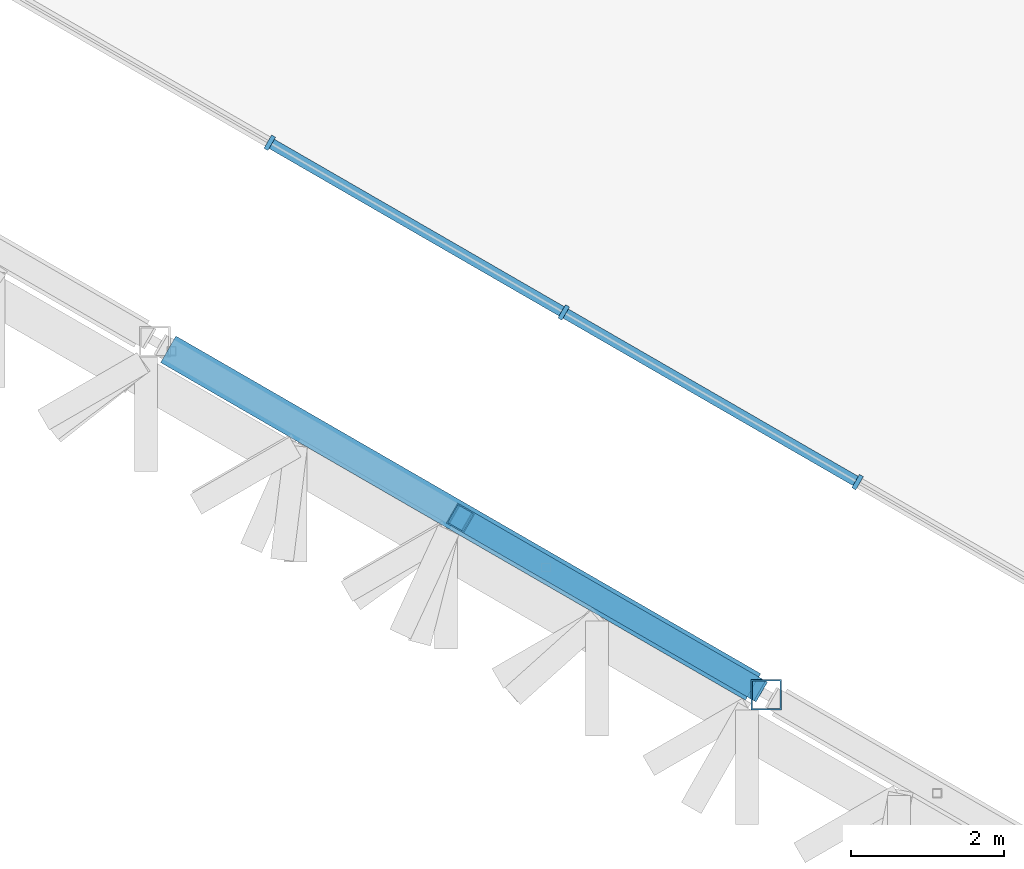
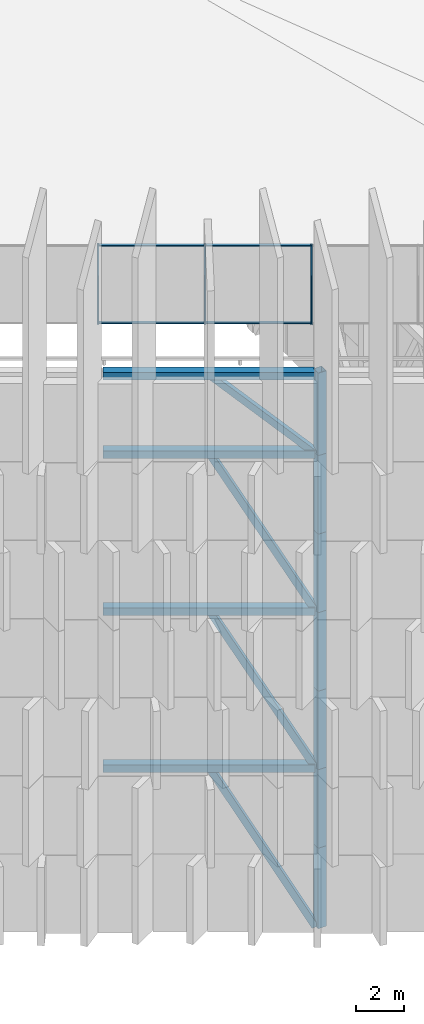
# One storey, part 2 of 45: 22 members, 1 element without a shape of its own.
"""IFC4 building model written with IfcOpenShell, lengths in metres."""

from ifc_helpers import new_model, si_unit, direction, frame, origin, origin_2d, place, context, subcontext, project, spatial, rectangle, hollow_rectangle, extrude, material, layer, layer_set, material_profile, profile_set, type_object, element, aggregate, save


model = new_model("IFC4")

# Units and contexts
model_context = context("Model", 3, precision=1e-05, world=origin(), true_north=direction((0.0, 1.0)))
body_context = subcontext(model_context, "Body", "Model", "MODEL_VIEW")
ifc_project = project(units=[si_unit("LENGTHUNIT", "METRE"), si_unit("AREAUNIT", "SQUARE_METRE"), si_unit("VOLUMEUNIT", "CUBIC_METRE"), si_unit("PLANEANGLEUNIT", "RADIAN"), si_unit("MASSUNIT", "GRAM", prefix="KILO")], contexts=[model_context])

# Site, building, storey
site_placement = place(None, origin())
site = spatial("IfcSite", under=ifc_project, at=site_placement, CompositionType="ELEMENT")
building_placement = place(site_placement, origin())
building = spatial("IfcBuilding", under=site, at=building_placement, Name="Jabali Bay Hotel Tower and Convention Centre", CompositionType="ELEMENT")
storey_placement = place(building_placement, frame((0.0, 0.0, 322.39990234375)))
storey = spatial("IfcBuildingStorey", under=building, at=storey_placement, Name="Crown", CompositionType="ELEMENT", Elevation=322.39990234375)

# Curtain wall, members
ifc_material_1 = material(Name="Aluminium and glass", Category="aluminium")
ifc_layer = layer(ifc_material_1, 0.199951171875)
ifc_layer_set = layer_set([ifc_layer], Name="Aluminium and glass")
curtain_wall_type = type_object("IfcCurtainWallType", Name="CW6 curtain wall", PredefinedType="NOTDEFINED", material=ifc_layer_set)
curtain_wall_placement = place(storey_placement, origin())
curtain_wall = element("IfcCurtainWall", 1, at=curtain_wall_placement, inside=storey, type_object=curtain_wall_type, Name="CW6 lantern glazing 5", PredefinedType="NOTDEFINED")
ifc_material_2 = material(Name="Aluminium", Category="aluminium")
ifc_material_profile_1 = material_profile(ifc_material_2, rectangle(XDim=0.199951171875, YDim=0.06005859375, at=origin_2d()), Name="CW6 mullion 60 x 200")
ifc_profile_set_1 = profile_set([ifc_material_profile_1], Name="Aluminium")
member_type_1 = type_object("IfcMemberType", Name="CW6 mullion 60 x 200", PredefinedType="MULLION", material=ifc_profile_set_1)
member_1_placement = place(storey_placement, frame((67.425537109375, 66.880859375, 28.35009765625), z_axis=(0.0, 0.0, 1.0), x_axis=(0.500000005124, 0.866025400826, 0.0)))
member_1 = element("IfcMember", 2, at=member_1_placement, type_object=member_type_1, Name="CW6 mullion 6", PredefinedType="MULLION", context=body_context, shape_type="SweptSolid", body=[
    extrude(rectangle(XDim=0.199951171875, YDim=0.06005859375, at=origin_2d()), origin(), (0.0, 0.0, 1.0), 4.0),
])
member_2_placement = place(storey_placement, frame((71.265625, 64.663818359375, 28.35009765625), z_axis=(0.0, 0.0, 1.0), x_axis=(0.500000005124, 0.866025400826, 0.0)))
member_2 = element("IfcMember", 3, at=member_2_placement, type_object=member_type_1, Name="CW6 mullion 7", PredefinedType="MULLION", context=body_context, shape_type="SweptSolid", body=[
    extrude(rectangle(XDim=0.199951171875, YDim=0.06005859375, at=origin_2d()), origin(), (0.0, 0.0, 1.0), 4.0),
])
member_3_placement = place(storey_placement, frame((75.10546875, 62.44677734375, 28.35009765625), z_axis=(0.0, 0.0, 1.0), x_axis=(0.500000005124, 0.866025400826, 0.0)))
member_3 = element("IfcMember", 4, at=member_3_placement, type_object=member_type_1, Name="CW6 mullion 8", PredefinedType="MULLION", context=body_context, shape_type="SweptSolid", body=[
    extrude(rectangle(XDim=0.199951171875, YDim=0.06005859375, at=origin_2d()), origin(), (0.0, 0.0, 1.0), 4.0),
])
ifc_material_profile_2 = material_profile(ifc_material_2, rectangle(XDim=0.139892578125, YDim=0.06005859375, at=origin_2d()), Name="CW6 transom 60 x 140")
ifc_profile_set_2 = profile_set([ifc_material_profile_2], Name="Aluminium")
member_type_2 = type_object("IfcMemberType", Name="CW6 transom 60 x 140", PredefinedType="USERDEFINED", material=ifc_profile_set_2)
member_4_placement = place(storey_placement, frame((67.45166015625, 66.86572265625, 28.380126953125), z_axis=(0.866015480101, -0.500017187931, 0.0), x_axis=(0.500017187931, 0.866015480101, 0.0)))
member_4 = element("IfcMember", 5, at=member_4_placement, type_object=member_type_2, Name="CW6 transom 6.1", ObjectType="TRANSOM", PredefinedType="USERDEFINED", context=body_context, shape_type="SweptSolid", body=[
    extrude(rectangle(XDim=0.139892578125, YDim=0.06005859375, at=origin_2d()), origin(), (0.0, 0.0, 1.0), 4.373779296875),
])
member_5_placement = place(storey_placement, frame((67.45166015625, 66.86572265625, 32.320068359375), z_axis=(0.866015480101, -0.500017187931, 0.0), x_axis=(0.500017187931, 0.866015480101, 0.0)))
member_5 = element("IfcMember", 6, at=member_5_placement, type_object=member_type_2, Name="CW6 transom 6.2", ObjectType="TRANSOM", PredefinedType="USERDEFINED", context=body_context, shape_type="SweptSolid", body=[
    extrude(rectangle(XDim=0.139892578125, YDim=0.06005859375, at=origin_2d()), origin(), (0.0, 0.0, 1.0), 4.373779296875),
])
member_6_placement = place(storey_placement, frame((71.29150390625, 64.648681640625, 28.380126953125), z_axis=(0.866053602686, -0.499951154889, 0.0), x_axis=(0.499951154889, 0.866053602686, 0.0)))
member_6 = element("IfcMember", 7, at=member_6_placement, type_object=member_type_2, Name="CW6 transom 7.1", ObjectType="TRANSOM", PredefinedType="USERDEFINED", context=body_context, shape_type="SweptSolid", body=[
    extrude(rectangle(XDim=0.139892578125, YDim=0.06005859375, at=origin_2d()), origin(), (0.0, 0.0, 1.0), 4.3740234375),
])
member_7_placement = place(storey_placement, frame((71.29150390625, 64.648681640625, 32.320068359375), z_axis=(0.866053602686, -0.499951154889, 0.0), x_axis=(0.499951154889, 0.866053602686, 0.0)))
member_7 = element("IfcMember", 8, at=member_7_placement, type_object=member_type_2, Name="CW6 transom 7.2", ObjectType="TRANSOM", PredefinedType="USERDEFINED", context=body_context, shape_type="SweptSolid", body=[
    extrude(rectangle(XDim=0.139892578125, YDim=0.06005859375, at=origin_2d()), origin(), (0.0, 0.0, 1.0), 4.3740234375),
])
aggregate(curtain_wall, [member_1, member_2, member_3, member_4, member_5, member_6, member_7])

# Members
ifc_material_3 = material(Name="Steel Q420GJC", Category="steel")
ifc_material_profile_3 = material_profile(ifc_material_3, hollow_rectangle(XDim=0.300048828125, YDim=0.300048828125, WallThickness=0.01611328125, at=origin_2d()), Name="Crown frame brace 300x300x16")
ifc_profile_set_3 = profile_set([ifc_material_profile_3], Name="Steel Q420GJC")
member_type_3 = type_object("IfcMemberType", Name="Crown frame brace 300x300x16", PredefinedType="USERDEFINED", material=ifc_profile_set_3)
member_8_placement = place(storey_placement, frame((73.739501953125, 59.771240234375, -0.099853515625), z_axis=(-0.415334554415, 0.239810052348, 0.877489798631), x_axis=(-0.50002585838, -0.866010473927, 0.0)))
element("IfcMember", 9, at=member_8_placement, inside=storey, type_object=member_type_3, Name="Crown brace 1 F2.3-F2.4r", ObjectType="CROWN FRAME", PredefinedType="USERDEFINED", context=body_context, shape_type="SweptSolid", body=[
    extrude(hollow_rectangle(XDim=0.300048828125, YDim=0.300048828125, WallThickness=0.01611328125, at=origin_2d()), origin(), (0.0, 0.0, 1.0), 9.1982421875),
])
for number, where, z_axis, x_axis, name in (
    (10, (73.739501953125, 59.771240234375, 7.971435546875), (-0.419323234848, 0.242113076869, 0.874956731916), (-0.50002585838, -0.866010473927, 0.0), "Crown brace 2 F2.3-F2.4r"),
    (11, (73.739501953125, 59.771240234375, 15.94287109375), (-0.419323234848, 0.242113076869, 0.874956731916), (-0.50002585838, -0.866010473927, 0.0), "Crown brace 3 F2.3-F2.4r"),
):
    element("IfcMember", number, at=place(storey_placement, frame(where, z_axis=z_axis, x_axis=x_axis)), inside=storey, type_object=member_type_3, Name=name, ObjectType="CROWN FRAME", PredefinedType="USERDEFINED", context=body_context, shape_type="SweptSolid", body=[
        extrude(hollow_rectangle(XDim=0.300048828125, YDim=0.300048828125, WallThickness=0.01611328125, at=origin_2d()), origin(), (0.0, 0.0, 1.0), 9.110595703125),
    ])
member_9_placement = place(storey_placement, frame((73.739501953125, 59.771240234375, 23.914306640625), z_axis=(-0.642570411062, 0.371013782205, 0.67041184375), x_axis=(-0.50002585838, -0.866010473927, 0.0)))
element("IfcMember", 12, at=member_9_placement, inside=storey, type_object=member_type_3, Name="Crown brace 4 F2.3-F2.4r", ObjectType="CROWN FRAME", PredefinedType="USERDEFINED", context=body_context, shape_type="SweptSolid", body=[
    extrude(hollow_rectangle(XDim=0.300048828125, YDim=0.300048828125, WallThickness=0.01611328125, at=origin_2d()), origin(), (0.0, 0.0, 1.0), 5.9453125),
])
ifc_material_profile_4 = material_profile(ifc_material_3, hollow_rectangle(XDim=0.39990234375, YDim=0.39990234375, WallThickness=0.02001953125, at=origin_2d()), Name="Crown frame member 400x400x20")
ifc_profile_set_4 = profile_set([ifc_material_profile_4], Name="Steel Q420GJC")
member_type_4 = type_object("IfcMemberType", Name="Crown frame member 400x400x20", PredefinedType="USERDEFINED", material=ifc_profile_set_4)
member_10_placement = place(storey_placement, frame((73.912841796875, 59.67138671875, -0.099853515625), z_axis=(0.0, 0.0, 1.0), x_axis=(1.0, 0.0, 0.0)))
element("IfcMember", 13, at=member_10_placement, inside=storey, type_object=member_type_4, Name="Crown post F2.4 1", ObjectType="CROWN FRAME", PredefinedType="USERDEFINED", context=body_context, shape_type="SweptSolid", body=[
    extrude(hollow_rectangle(XDim=0.39990234375, YDim=0.39990234375, WallThickness=0.02001953125, at=origin_2d()), origin(), (0.0, 0.0, 1.0), 4.085693359375),
])
member_11_placement = place(storey_placement, frame((73.912841796875, 59.67138671875, 3.98583984375), z_axis=(0.0, 0.0, 1.0), x_axis=(1.0, 0.0, 0.0)))
element("IfcMember", 14, at=member_11_placement, inside=storey, type_object=member_type_4, Name="Crown post F2.4 2", ObjectType="CROWN FRAME", PredefinedType="USERDEFINED", context=body_context, shape_type="SweptSolid", body=[
    extrude(hollow_rectangle(XDim=0.39990234375, YDim=0.39990234375, WallThickness=0.02001953125, at=origin_2d()), origin(), (0.0, 0.0, 1.0), 3.985595703125),
])
member_12_placement = place(storey_placement, frame((73.912841796875, 59.67138671875, 7.971435546875), z_axis=(0.0, 0.0, 1.0), x_axis=(1.0, 0.0, 0.0)))
element("IfcMember", 15, at=member_12_placement, inside=storey, type_object=member_type_4, Name="Crown post F2.4 3", ObjectType="CROWN FRAME", PredefinedType="USERDEFINED", context=body_context, shape_type="SweptSolid", body=[
    extrude(hollow_rectangle(XDim=0.39990234375, YDim=0.39990234375, WallThickness=0.02001953125, at=origin_2d()), origin(), (0.0, 0.0, 1.0), 3.98583984375),
])
member_13_placement = place(storey_placement, frame((73.912841796875, 59.67138671875, 11.957275390625), z_axis=(0.0, 0.0, 1.0), x_axis=(1.0, 0.0, 0.0)))
element("IfcMember", 16, at=member_13_placement, inside=storey, type_object=member_type_4, Name="Crown post F2.4 4", ObjectType="CROWN FRAME", PredefinedType="USERDEFINED", context=body_context, shape_type="SweptSolid", body=[
    extrude(hollow_rectangle(XDim=0.39990234375, YDim=0.39990234375, WallThickness=0.02001953125, at=origin_2d()), origin(), (0.0, 0.0, 1.0), 3.985595703125),
])
member_14_placement = place(storey_placement, frame((73.912841796875, 59.67138671875, 15.94287109375), z_axis=(0.0, 0.0, 1.0), x_axis=(1.0, 0.0, 0.0)))
element("IfcMember", 17, at=member_14_placement, inside=storey, type_object=member_type_4, Name="Crown post F2.4 5", ObjectType="CROWN FRAME", PredefinedType="USERDEFINED", context=body_context, shape_type="SweptSolid", body=[
    extrude(hollow_rectangle(XDim=0.39990234375, YDim=0.39990234375, WallThickness=0.02001953125, at=origin_2d()), origin(), (0.0, 0.0, 1.0), 3.98583984375),
])
member_15_placement = place(storey_placement, frame((73.912841796875, 59.67138671875, 19.9287109375), z_axis=(0.0, 0.0, 1.0), x_axis=(1.0, 0.0, 0.0)))
element("IfcMember", 18, at=member_15_placement, inside=storey, type_object=member_type_4, Name="Crown post F2.4 6", ObjectType="CROWN FRAME", PredefinedType="USERDEFINED", context=body_context, shape_type="SweptSolid", body=[
    extrude(hollow_rectangle(XDim=0.39990234375, YDim=0.39990234375, WallThickness=0.02001953125, at=origin_2d()), origin(), (0.0, 0.0, 1.0), 3.985595703125),
])
member_16_placement = place(storey_placement, frame((73.912841796875, 59.67138671875, 23.914306640625), z_axis=(0.0, 0.0, 1.0), x_axis=(1.0, 0.0, 0.0)))
element("IfcMember", 19, at=member_16_placement, inside=storey, type_object=member_type_4, Name="Crown post F2.4 7", ObjectType="CROWN FRAME", PredefinedType="USERDEFINED", context=body_context, shape_type="SweptSolid", body=[
    extrude(hollow_rectangle(XDim=0.39990234375, YDim=0.39990234375, WallThickness=0.02001953125, at=origin_2d()), origin(), (0.0, 0.0, 1.0), 4.185791015625),
])
for number, where, z_axis, x_axis, name in (
    (20, (66.098876953125, 64.1826171875, 7.971435546875), (0.866022456413, -0.500005104963, 0.0), (0.500005104963, 0.866022456413, 0.0), "Crown ring 330.371 F2.3-F2.4"),
    (21, (66.098876953125, 64.1826171875, 15.94287109375), (0.866022456413, -0.500005104963, 0.0), (0.500005104963, 0.866022456413, 0.0), "Crown ring 338.343 F2.3-F2.4"),
    (22, (66.098876953125, 64.1826171875, 23.914306640625), (0.866022456413, -0.500005104963, 0.0), (0.500005104963, 0.866022456413, 0.0), "Crown ring 346.314 F2.3-F2.4"),
    (23, (66.098876953125, 64.1826171875, 27.900146484375), (0.866022456413, -0.500005104963, 0.0), (0.500005104963, 0.866022456413, 0.0), "Crown ring 350.3 F2.3-F2.4"),
):
    element("IfcMember", number, at=place(storey_placement, frame(where, z_axis=z_axis, x_axis=x_axis)), inside=storey, type_object=member_type_4, Name=name, ObjectType="CROWN FRAME", PredefinedType="USERDEFINED", context=body_context, shape_type="SweptSolid", body=[
        extrude(hollow_rectangle(XDim=0.39990234375, YDim=0.39990234375, WallThickness=0.02001953125, at=origin_2d()), origin(), (0.0, 0.0, 1.0), 8.82275390625),
    ])

save(model, "model.ifc")
